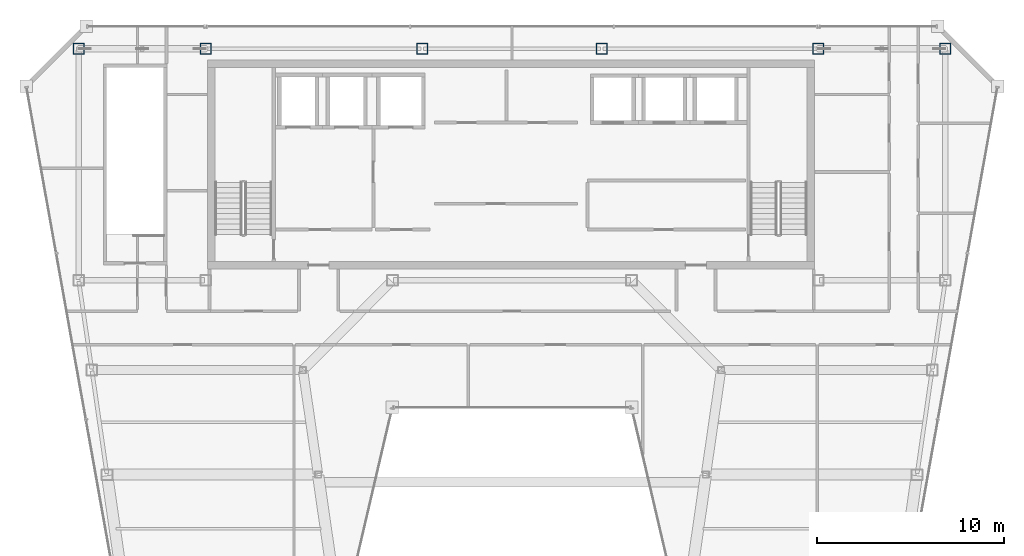
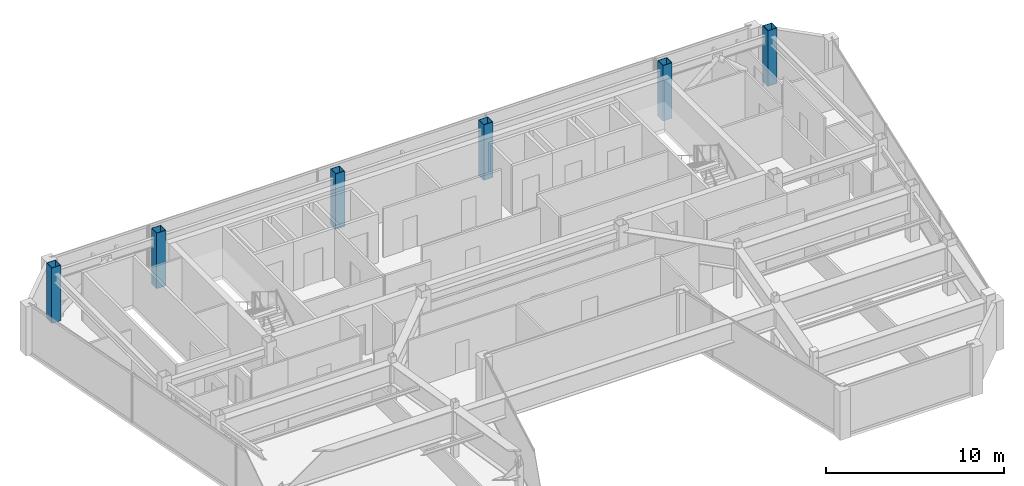
# One storey, part 2 of 30: 6 columns.
"""IFC4 building model written with IfcOpenShell, lengths in metres."""

import ifcopenshell
import ifcopenshell.guid

model = None  # the IFC model being written
_history = None  # IfcOwnerHistory: only IFC2X3 demands one
_inside = {}  # id of a spatial element -> (the spatial element, [elements in it])
_under = {}  # id of a project, library or spatial element -> (it, [spatial elements below it])
_declared = {}  # id of a project -> (the project, [libraries it declares])
_typed = {}  # id of a type object -> (the type object, [elements of that type])
_made_of = {}  # id of a material, layer set ... -> (it, [elements and type objects made of it])


def new_model(schema):
    """Start an empty IFC model of exactly this schema.

    Asked for "IFC4X3", IfcOpenShell would pick the latest addendum, in which some entities
    have other attributes; the version numbers below select the first issue.
    IFC2X3 requires an IfcOwnerHistory on every rooted entity: one is made here for all.
    """
    global model, _history
    if schema == "IFC4X3":
        model = ifcopenshell.file(schema_version=(4, 3, 0, 0))
    else:
        model = ifcopenshell.file(schema=schema)
    _inside.clear()
    _under.clear()
    _declared.clear()
    _typed.clear()
    _made_of.clear()
    _history = None
    if model.schema == "IFC2X3":
        org = make("IfcOrganization", Name="unknown")
        user = make(
            "IfcPersonAndOrganization",
            ThePerson=make("IfcPerson", FamilyName="unknown"),
            TheOrganization=org,
        )
        app = make(
            "IfcApplication",
            ApplicationDeveloper=org,
            Version="unknown",
            ApplicationFullName="unknown",
            ApplicationIdentifier="unknown",
        )
        _history = make(
            "IfcOwnerHistory",
            OwningUser=user,
            OwningApplication=app,
            ChangeAction="ADDED",
            CreationDate=0,
        )
    return model


def make(cls, **values):
    """One entity of the class cls with the attributes given. An attribute that is None is left unset."""
    return model.create_entity(
        cls, **{name: value for name, value in values.items() if value is not None}
    )


def rooted(cls, **values):
    """An entity with a GlobalId (a new one), such as an element, a storey or a relation."""
    return make(cls, GlobalId=ifcopenshell.guid.new(), OwnerHistory=_history, **values)


def si_unit(unit_type, name, prefix=None):
    """IfcSIUnit, for example si_unit("LENGTHUNIT", "METRE", prefix="MILLI")."""
    return make("IfcSIUnit", UnitType=unit_type, Prefix=prefix, Name=name)


def assignment(units):
    """IfcUnitAssignment: the units of a project."""
    return None if units is None else make("IfcUnitAssignment", Units=units)


def point(xyz):
    """IfcCartesianPoint."""
    return None if xyz is None else make("IfcCartesianPoint", Coordinates=xyz)


def direction(xyz):
    """IfcDirection."""
    return None if xyz is None else make("IfcDirection", DirectionRatios=xyz)


def frame(location, z_axis=None, x_axis=None):
    """IfcAxis2Placement3D, a coordinate frame: its origin and axes. An axis left out is left unset."""
    return make(
        "IfcAxis2Placement3D",
        Location=point(location),
        Axis=direction(z_axis),
        RefDirection=direction(x_axis),
    )


def frame_2d(location, x_axis=None):
    """IfcAxis2Placement2D, a coordinate frame in the plane: its origin and x axis."""
    return make(
        "IfcAxis2Placement2D", Location=point(location), RefDirection=direction(x_axis)
    )


def origin():
    """The frame at (0, 0, 0) with its axes left unset."""
    return frame((0.0, 0.0, 0.0))


def origin_2d():
    """The frame at (0, 0) in the plane with its x axis left unset."""
    return frame_2d((0.0, 0.0))


def place(relative_to, where):
    """IfcLocalPlacement: puts the frame where relative to a parent placement (None: the world)."""
    return make(
        "IfcLocalPlacement", PlacementRelTo=relative_to, RelativePlacement=where
    )


def context(
    kind, dimensions, precision=None, world=None, true_north=None, identifier=None
):
    """IfcGeometricRepresentationContext, for example the 3D "Model" context."""
    return make(
        "IfcGeometricRepresentationContext",
        ContextIdentifier=identifier,
        ContextType=kind,
        CoordinateSpaceDimension=dimensions,
        Precision=precision,
        WorldCoordinateSystem=world,
        TrueNorth=true_north,
    )


def subcontext(parent, identifier, kind, view, scale=None):
    """IfcGeometricRepresentationSubContext, for example "Body" below "Model"."""
    return make(
        "IfcGeometricRepresentationSubContext",
        ContextIdentifier=identifier,
        ContextType=kind,
        ParentContext=parent,
        TargetScale=scale,
        TargetView=view,
    )


def project(units=None, contexts=None):
    """IfcProject with its units and contexts."""
    return rooted(
        "IfcProject",
        Name="project",
        RepresentationContexts=contexts,
        UnitsInContext=assignment(units),
    )


def spatial(cls, under=None, at=None, **own):
    """A site, building, storey or space (cls), placed at a placement, below another one or the project."""
    s = rooted(cls, ObjectPlacement=at, **own)
    if under is not None:
        _under.setdefault(under.id(), (under, []))[1].append(s)
    return s


def profile(cls, at=None, kind="AREA", **sizes):
    """A parametric profile (cls). Its sizes go by their IFC names, for example OverallWidth=200.0."""
    return make(cls, ProfileType=kind, Position=at, **sizes)


def hollow_rectangle(**sizes):
    """IfcRectangleHollowProfileDef."""
    return profile("IfcRectangleHollowProfileDef", **sizes)


def extrude(swept, where, along, depth):
    """IfcExtrudedAreaSolid: the profile swept, set in the frame where, extruded along a direction by depth."""
    return make(
        "IfcExtrudedAreaSolid",
        SweptArea=swept,
        Position=where,
        ExtrudedDirection=direction(along),
        Depth=depth,
    )


def shape(context_of_items, identifier, shape_type, items):
    """IfcShapeRepresentation: the items that make up one representation, for example the "Body"."""
    return make(
        "IfcShapeRepresentation",
        ContextOfItems=context_of_items,
        RepresentationIdentifier=identifier,
        RepresentationType=shape_type,
        Items=items,
    )


def material(Name=None, Category=None):
    """IfcMaterial."""
    return make("IfcMaterial", Name=Name, Category=Category)


def material_profile(
    of_material, cross_section, Name=None, Category=None, Priority=None
):
    """IfcMaterialProfile: a cross section and its material."""
    return make(
        "IfcMaterialProfile",
        Name=Name,
        Material=of_material,
        Profile=cross_section,
        Priority=Priority,
        Category=Category,
    )


def profile_set(profiles, Name=None, composite=None):
    """IfcMaterialProfileSet."""
    return make(
        "IfcMaterialProfileSet",
        Name=Name,
        MaterialProfiles=profiles,
        CompositeProfile=composite,
    )


def made_of(thing, what):
    """Note that an element or type object is made of a material, layer set ...; save() writes the relation."""
    if what is not None:
        _made_of.setdefault(what.id(), (what, []))[1].append(thing)
    return thing


def type_object(cls, material=None, **own):
    """A type object (cls), such as IfcWallType, which elements share."""
    return made_of(rooted(cls, **own), material)


def element(
    cls,
    number,
    at=None,
    inside=None,
    cuts=None,
    type_object=None,
    material=None,
    context=None,
    identifier="Body",
    shape_type=None,
    held_by="IfcProductDefinitionShape",
    body=None,
    shapes=None,
    **own,
):
    """One element of the class cls, such as IfcWall. Its Tag is "e" and its number.

    at: its placement. inside: the storey or other place that contains it. cuts: it is an
    opening in that element (IfcRelVoidsElement). A single representation is given by context,
    identifier, shape_type and body (its items); several are given by shapes. held_by: the class
    of the entity that holds the representations. save() writes the other relations.
    """
    e = rooted(cls, Tag="e%d" % number, ObjectPlacement=at, **own)
    if body is not None:
        shapes = [shape(context, identifier, shape_type, body)]
    if shapes is not None:
        e.Representation = make(held_by, Representations=shapes)
    if inside is not None:
        _inside.setdefault(inside.id(), (inside, []))[1].append(e)
    if cuts is not None:
        rooted(
            "IfcRelVoidsElement", RelatingBuildingElement=cuts, RelatedOpeningElement=e
        )
    if type_object is not None:
        _typed.setdefault(type_object.id(), (type_object, []))[1].append(e)
    return made_of(e, material)


def aggregate(whole, parts):
    """IfcRelAggregates: a whole, such as a stair, and the parts it consists of."""
    return rooted("IfcRelAggregates", RelatingObject=whole, RelatedObjects=parts)


def save(model, path):
    """Write the relations noted so far, then the file.

    IfcRelAggregates (storeys below a building ...), IfcRelContainedInSpatialStructure (elements
    in a storey), IfcRelDefinesByType, IfcRelAssociatesMaterial and IfcRelDeclares: one each for
    every whole, place, type object, material and project.
    """
    for whole, parts in _under.values():
        aggregate(whole, parts)
    for where, things in _inside.values():
        rooted(
            "IfcRelContainedInSpatialStructure",
            RelatedElements=things,
            RelatingStructure=where,
        )
    for kind, things in _typed.values():
        rooted("IfcRelDefinesByType", RelatedObjects=things, RelatingType=kind)
    for what, things in _made_of.values():
        rooted("IfcRelAssociatesMaterial", RelatedObjects=things, RelatingMaterial=what)
    for by, libraries in _declared.values():
        rooted("IfcRelDeclares", RelatingContext=by, RelatedDefinitions=libraries)
    model.write(path)


model = new_model("IFC4")

# Units and contexts
model_context = context("Model", 3, precision=1e-05, world=origin(), true_north=direction((0.0, 1.0)))
body_context = subcontext(model_context, "Body", "Model", "MODEL_VIEW")
ifc_project = project(units=[si_unit("LENGTHUNIT", "METRE"), si_unit("AREAUNIT", "SQUARE_METRE"), si_unit("VOLUMEUNIT", "CUBIC_METRE"), si_unit("PLANEANGLEUNIT", "RADIAN"), si_unit("MASSUNIT", "GRAM", prefix="KILO")], contexts=[model_context])

# Site, building, storey
site_placement = place(None, origin())
site = spatial("IfcSite", under=ifc_project, at=site_placement, CompositionType="ELEMENT")
building_placement = place(site_placement, origin())
building = spatial("IfcBuilding", under=site, at=building_placement, Name="Saevonmaru Cultural Tower", CompositionType="ELEMENT")
storey_placement = place(building_placement, frame((0.0, 0.0, 272.39990234375)))
storey = spatial("IfcBuildingStorey", under=building, at=storey_placement, Name="L64", CompositionType="ELEMENT", Elevation=272.39990234375)

# Columns
ifc_material = material(Name="Steel SM355", Category="steel")
ifc_material_profile = material_profile(ifc_material, hollow_rectangle(XDim=0.60009765625, YDim=0.60009765625, WallThickness=0.028076171875, at=origin_2d()), Name="BOX-600x600x28")
ifc_profile_set = profile_set([ifc_material_profile], Name="Steel SM355")
column_type = type_object("IfcColumnType", Name="COL-BOX-600", PredefinedType="COLUMN", material=ifc_profile_set)
for number, where, z_axis, x_axis, name in (
    (1, (6.800048828125, 54.800048828125, 0.0), (0.0, 0.0, 1.0), (1.0, 0.0, 0.0), "L64 Column TC-N1N"),
    (2, (13.60009765625, 54.800048828125, 0.0), (0.0, 0.0, 1.0), (1.0, 0.0, 0.0), "L64 Column TC-N2N"),
    (3, (25.199951171875, 54.800048828125, 0.0), (0.0, 0.0, 1.0), (1.0, 0.0, 0.0), "L64 Column TC-N3N"),
    (4, (34.800048828125, 54.800048828125, 0.0), (0.0, 0.0, 1.0), (1.0, 0.0, 0.0), "L64 Column TC-N4N"),
    (5, (46.39990234375, 54.800048828125, 0.0), (0.0, 0.0, 1.0), (1.0, 0.0, 0.0), "L64 Column TC-N5N"),
    (6, (53.199951171875, 54.800048828125, 0.0), (0.0, 0.0, 1.0), (1.0, 0.0, 0.0), "L64 Column TC-N6N"),
):
    element("IfcColumn", number, at=place(storey_placement, frame(where, z_axis=z_axis, x_axis=x_axis)), inside=storey, type_object=column_type, Name=name, PredefinedType="COLUMN", context=body_context, shape_type="SweptSolid", body=[
        extrude(hollow_rectangle(XDim=0.60009765625, YDim=0.60009765625, WallThickness=0.028076171875, at=origin_2d()), origin(), (0.0, 0.0, 1.0), 3.800048828125),
    ])

save(model, "model.ifc")
